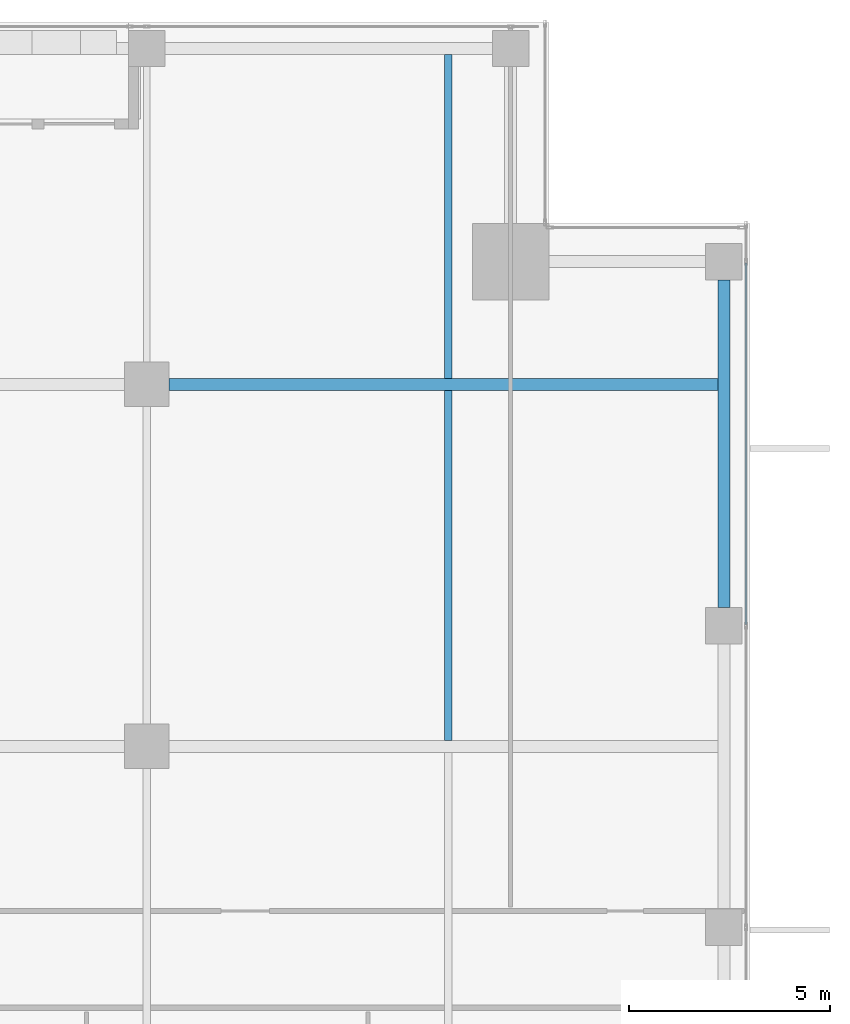
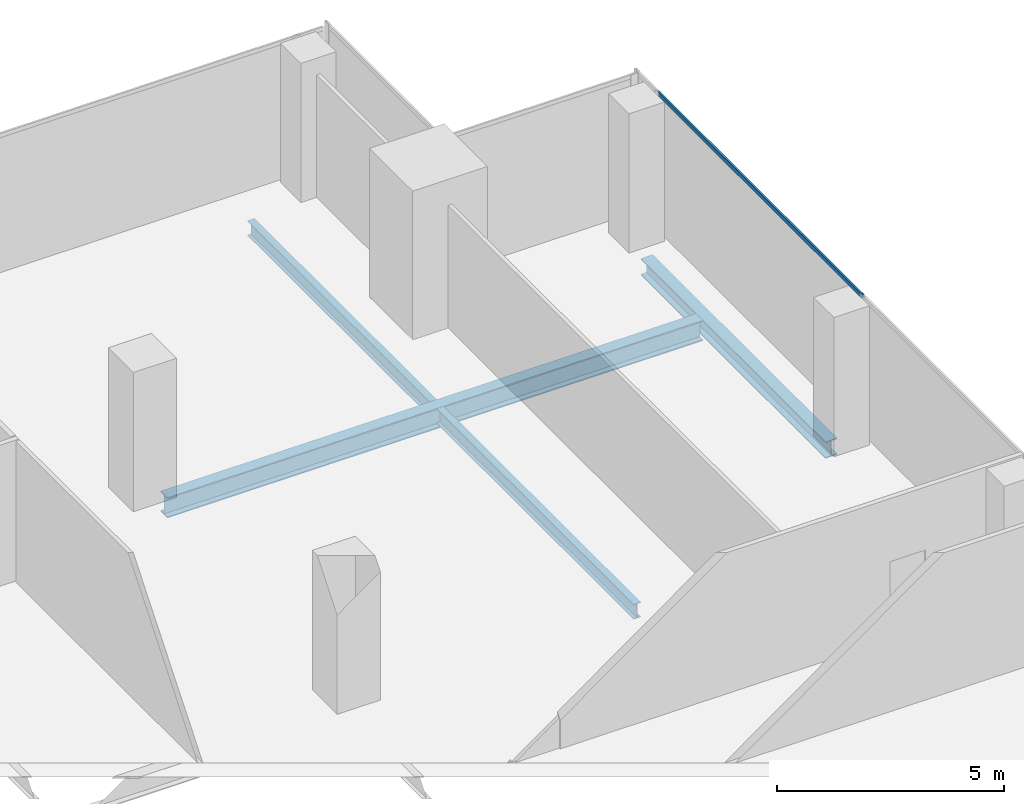
# One storey, part 21 of 34: 4 beams, 1 member, 1 element without a shape of its own.
"""IFC4 building model written with IfcOpenShell, lengths in metres."""

from ifc_helpers import new_model, si_unit, direction, frame, origin, origin_2d, place, context, subcontext, project, spatial, hollow_rectangle, i_section, extrude, source, transform, mapped, material, material_profile, profile_set, type_object, element, aggregate, save


model = new_model("IFC4")

# Units and contexts
model_context = context("Model", 3, precision=1e-05, world=origin(), true_north=direction((0.0, 1.0)))
body_context = subcontext(model_context, "Body", "Model", "MODEL_VIEW")
ifc_project = project(units=[si_unit("LENGTHUNIT", "METRE"), si_unit("AREAUNIT", "SQUARE_METRE"), si_unit("VOLUMEUNIT", "CUBIC_METRE"), si_unit("PLANEANGLEUNIT", "RADIAN"), si_unit("MASSUNIT", "GRAM", prefix="KILO")], contexts=[model_context])

# Site, building, storey
site_placement = place(None, origin())
site = spatial("IfcSite", under=ifc_project, at=site_placement, CompositionType="ELEMENT")
building_placement = place(site_placement, origin())
building = spatial("IfcBuilding", under=site, at=building_placement, Name="Khomas Fold Tower", CompositionType="ELEMENT")
storey_placement = place(building_placement, frame((0.0, 0.0, 242.199951171875)))
storey = spatial("IfcBuildingStorey", under=building, at=storey_placement, Name="L54", CompositionType="ELEMENT", Elevation=242.199951171875)

# Beams
ifc_material_1 = material(Name="Steel S355", Category="steel")
ifc_material_profile_1 = material_profile(ifc_material_1, i_section(OverallWidth=0.179931640625, OverallDepth=0.39990234375, WebThickness=0.008544921875, FlangeThickness=0.013427734375, at=origin_2d()), Name="IPE 400")
ifc_profile_set_1 = profile_set([ifc_material_profile_1], Name="Steel S355")
beam_type_1 = type_object("IfcBeamType", Name="IPE 400 beam JB3", PredefinedType="BEAM", material=ifc_profile_set_1)
shared_shape_1 = source(origin(), body_context, "Body", "SweptSolid", [
    extrude(i_section(OverallWidth=0.179931640625, OverallDepth=0.39990234375, WebThickness=0.008544921875, FlangeThickness=0.013427734375, at=origin_2d()), origin(), (0.0, 0.0, 1.0), 8.7001953125),
])
beam_1_placement = place(storey_placement, frame((42.0, 31.64990234375, -0.449951171875), z_axis=(0.0, 1.0, 0.0), x_axis=(-1.0, 0.0, 0.0)))
element("IfcBeam", 1, at=beam_1_placement, inside=storey, type_object=beam_type_1, Name="JB3", PredefinedType="BEAM", context=body_context, shape_type="MappedRepresentation", body=[
    mapped(shared_shape_1, transform((0.0, 0.0, 0.0))),
])
ifc_material_2 = material(Name="Steel S355", Category="steel")
ifc_material_profile_2 = material_profile(ifc_material_2, i_section(OverallWidth=0.300048828125, OverallDepth=0.449951171875, WebThickness=0.013916015625, FlangeThickness=0.02587890625, at=origin_2d()), Name="HE 450 B")
ifc_profile_set_2 = profile_set([ifc_material_profile_2], Name="Steel S355")
beam_type_2 = type_object("IfcBeamType", Name="HE 450 B spandrel SB4", PredefinedType="SPANDREL", material=ifc_profile_set_2)
shared_shape_2 = source(origin(), body_context, "Body", "SweptSolid", [
    extrude(i_section(OverallWidth=0.300048828125, OverallDepth=0.449951171875, WebThickness=0.013916015625, FlangeThickness=0.02587890625, at=origin_2d()), origin(), (0.0, 0.0, 1.0), 8.150146484375),
])
beam_2_placement = place(storey_placement, frame((48.85009765625, 34.949951171875, -0.474853515625), z_axis=(0.0, 1.0, 0.0), x_axis=(-1.0, 0.0, 0.0)))
element("IfcBeam", 2, at=beam_2_placement, inside=storey, type_object=beam_type_2, Name="SB4", PredefinedType="SPANDREL", context=body_context, shape_type="MappedRepresentation", body=[
    mapped(shared_shape_2, transform((0.0, 0.0, 0.0))),
])
ifc_material_3 = material(Name="Steel S355", Category="steel")
ifc_material_profile_3 = material_profile(ifc_material_3, i_section(OverallWidth=0.300048828125, OverallDepth=0.550048828125, WebThickness=0.014892578125, FlangeThickness=0.029052734375, at=origin_2d()), Name="HE 550 B")
ifc_profile_set_3 = profile_set([ifc_material_profile_3], Name="Steel S355")
beam_type_3 = type_object("IfcBeamType", Name="HE 550 B beam GB4", PredefinedType="BEAM", material=ifc_profile_set_3)
shared_shape_3 = source(origin(), body_context, "Body", "SweptSolid", [
    extrude(i_section(OverallWidth=0.300048828125, OverallDepth=0.550048828125, WebThickness=0.014892578125, FlangeThickness=0.029052734375, at=origin_2d()), origin(), (0.0, 0.0, 1.0), 13.64990234375),
])
beam_3_placement = place(storey_placement, frame((35.050048828125, 40.5, -0.52490234375), z_axis=(1.0, 0.0, 0.0), x_axis=(0.0, 1.0, 0.0)))
element("IfcBeam", 3, at=beam_3_placement, inside=storey, type_object=beam_type_3, Name="GB4", PredefinedType="BEAM", context=body_context, shape_type="MappedRepresentation", body=[
    mapped(shared_shape_3, transform((0.0, 0.0, 0.0))),
])
shared_shape_4 = source(origin(), body_context, "Body", "SweptSolid", [
    extrude(i_section(OverallWidth=0.179931640625, OverallDepth=0.39990234375, WebThickness=0.008544921875, FlangeThickness=0.013427734375, at=origin_2d()), origin(), (0.0, 0.0, 1.0), 8.050048828125),
])
beam_4_placement = place(storey_placement, frame((42.0, 40.64990234375, -0.449951171875), z_axis=(0.0, 1.0, 0.0), x_axis=(-1.0, 0.0, 0.0)))
element("IfcBeam", 4, at=beam_4_placement, inside=storey, type_object=beam_type_1, Name="JB3", PredefinedType="BEAM", context=body_context, shape_type="MappedRepresentation", body=[
    mapped(shared_shape_4, transform((0.0, 0.0, 0.0))),
])

# Curtain wall, member
ifc_material_4 = material(Name="Aluminium framed double glazing", Category="aluminium")
curtain_wall_type = type_object("IfcCurtainWallType", Name="SK-Unitised clear-glass wall, office floors CW2", PredefinedType="NOTDEFINED", material=ifc_material_4)
curtain_wall_placement = place(storey_placement, origin())
curtain_wall = element("IfcCurtainWall", 5, at=curtain_wall_placement, inside=storey, type_object=curtain_wall_type, Name="CW2 run L54 03-0", PredefinedType="NOTDEFINED")
ifc_material_5 = material(Name="Aluminium", Category="aluminium")
ifc_material_profile_4 = material_profile(ifc_material_5, hollow_rectangle(XDim=0.050048828125, YDim=0.110107421875, WallThickness=0.00390625, at=origin_2d()), Name="SK-Unitised clear-glass wall, office floors transom CW2-T")
ifc_profile_set_4 = profile_set([ifc_material_profile_4], Name="Aluminium")
member_type = type_object("IfcMemberType", Name="SK-Unitised clear-glass wall, office floors transom CW2-T", PredefinedType="USERDEFINED", material=ifc_profile_set_4)
shared_shape_5 = source(origin(), body_context, "Body", "SweptSolid", [
    extrude(hollow_rectangle(XDim=0.050048828125, YDim=0.110107421875, WallThickness=0.00390625, at=origin_2d()), origin(), (0.0, 0.0, 1.0), 8.989990234375),
])
member_placement = place(storey_placement, frame((49.39990234375, 34.530029296875, 3.695068359375), z_axis=(0.0, 1.0, 0.0), x_axis=(-1.0, 0.0, 0.0)))
member = element("IfcMember", 6, at=member_placement, type_object=member_type, Name="CW2 transom 5", ObjectType="TRANSOM", PredefinedType="USERDEFINED", context=body_context, shape_type="MappedRepresentation", body=[
    mapped(shared_shape_5, transform((0.0, 0.0, 0.0))),
])
aggregate(curtain_wall, [member])

save(model, "model.ifc")
